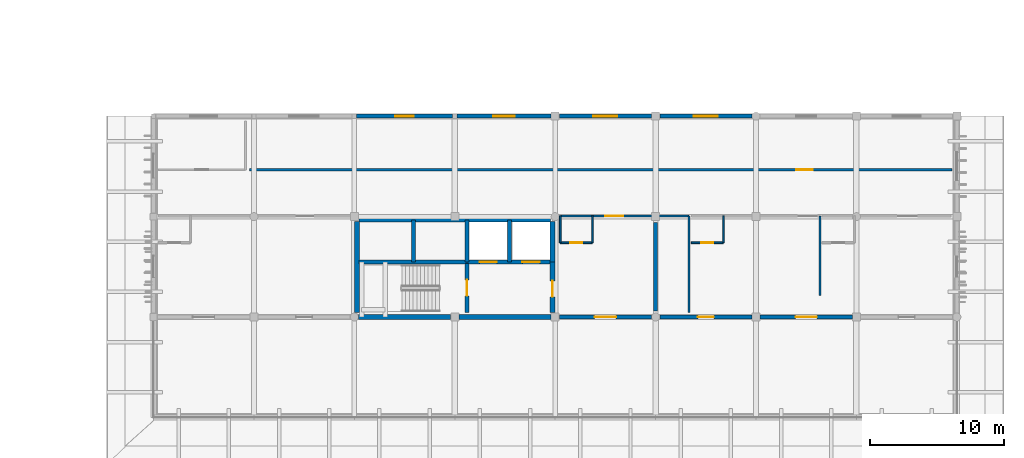
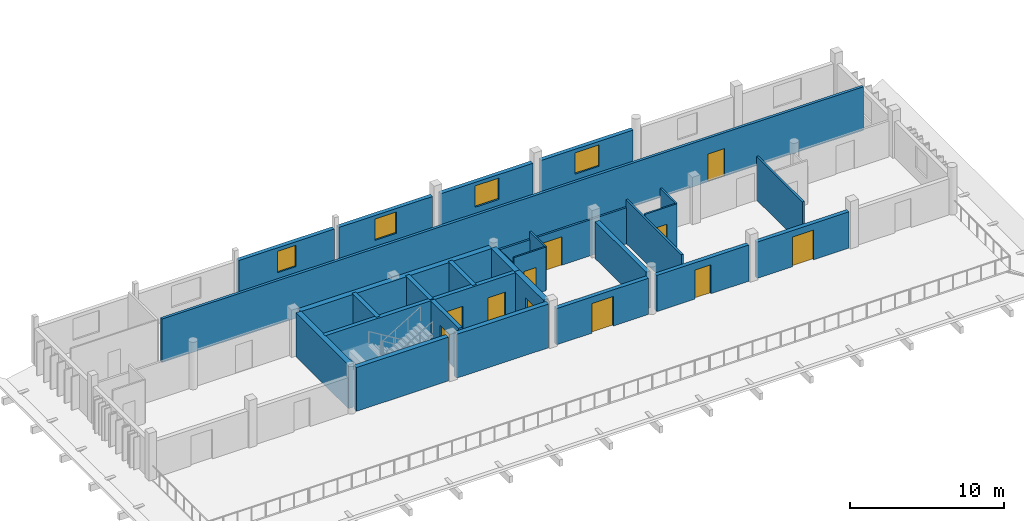
# One storey, part 24 of 43: 29 walls, 11 doors, 4 windows, 15 openings.
"""IFC4 building model written with IfcOpenShell, lengths in metres."""

from ifc_helpers import new_model, si_unit, direction, frame, frame_2d, origin, place, context, subcontext, project, spatial, rectangle, extrude, material, layer, layer_set, type_object, element, fill, save


model = new_model("IFC4")

# Units and contexts
model_context = context("Model", 3, precision=1e-05, world=origin(), true_north=direction((0.0, 1.0)))
body_context = subcontext(model_context, "Body", "Model", "MODEL_VIEW")
ifc_project = project(units=[si_unit("LENGTHUNIT", "METRE"), si_unit("AREAUNIT", "SQUARE_METRE"), si_unit("VOLUMEUNIT", "CUBIC_METRE"), si_unit("PLANEANGLEUNIT", "RADIAN"), si_unit("MASSUNIT", "GRAM", prefix="KILO")], contexts=[model_context])

# Site, building, storey
site_placement = place(None, origin())
site = spatial("IfcSite", under=ifc_project, at=site_placement, CompositionType="ELEMENT")
building_placement = place(site_placement, origin())
building = spatial("IfcBuilding", under=site, at=building_placement, Name="Dalvernix Boulevard General Hospital", CompositionType="ELEMENT")
storey_placement = place(building_placement, frame((0.0, 0.0, 14.10009765625)))
storey = spatial("IfcBuildingStorey", under=building, at=storey_placement, Name="L03", CompositionType="ELEMENT", Elevation=14.10009765625)

# Walls
ifc_material_1 = material(Name="Concrete C40/50", Category="concrete")
ifc_layer_1 = layer(ifc_material_1, 0.39990234375)
ifc_layer_set_1 = layer_set([ifc_layer_1], Name="Concrete C40/50 (WAL-CSW-01)")
wall_type_1 = type_object("IfcWallType", Name="WAL-CSW-01", PredefinedType="SHEAR", material=ifc_layer_set_1)
wall_1_placement = place(storey_placement, frame((127.85009765625, 14.800048828125, 0.0), z_axis=(0.0, 0.0, 1.0), x_axis=(1.0, 0.0, 0.0)))
element("IfcWall", 1, at=wall_1_placement, inside=storey, type_object=wall_type_1, Name="L03 C5 north shaft core wall", PredefinedType="SHEAR", context=body_context, shape_type="SweptSolid", body=[
    extrude(rectangle(XDim=14.2998046875, YDim=0.39990234375, at=frame_2d((7.14990234375, 0.0))), origin(), (0.0, 0.0, 1.0), 3.469970703125),
])
wall_2_placement = place(storey_placement, frame((127.699951171875, 7.85009765625, 0.0), z_axis=(0.0, 0.0, 1.0), x_axis=(0.0, 1.0, 0.0)))
element("IfcWall", 2, at=wall_2_placement, inside=storey, type_object=wall_type_1, Name="L03 C5 west core wall", PredefinedType="SHEAR", context=body_context, shape_type="SweptSolid", body=[
    extrude(rectangle(XDim=6.7998046875, YDim=0.39990234375, at=frame_2d((3.39990234375, 0.0))), origin(), (0.0, 0.0, 1.0), 3.469970703125),
])

# Wall, opening, door
wall_3_placement = place(storey_placement, frame((142.300048828125, 7.85009765625, 0.0), z_axis=(0.0, 0.0, 1.0), x_axis=(0.0, 1.0, 0.0)))
wall_3 = element("IfcWall", 3, at=wall_3_placement, inside=storey, type_object=wall_type_1, Name="L03 C5 east lobby core wall", PredefinedType="SHEAR", context=body_context, shape_type="SweptSolid", body=[
    extrude(rectangle(XDim=3.75, YDim=0.39990234375, at=frame_2d((1.875, 0.0))), origin(), (0.0, 0.0, 1.0), 3.469970703125),
])
opening_1_placement = place(wall_3_placement, frame((1.14990234375, 0.0, 0.0)))
opening_1 = element("IfcOpeningElement", 4, at=opening_1_placement, cuts=wall_3, Name="Opening FD-02", PredefinedType="OPENING", context=body_context, shape_type="SweptSolid", body=[
    extrude(rectangle(XDim=1.199951171875, YDim=2.25, at=frame_2d((0.60009765625, 1.125))), frame((0.0, 0.2099609375, 0.0), z_axis=(0.0, -1.0, 0.0), x_axis=(1.0, 0.0, 0.0)), (0.0, 0.0, 1.0), 0.419921875),
])
ifc_material_2 = material(Name="Hospital laminate acoustic timber and steel frame", Category="steel")
door_type_1 = type_object("IfcDoorType", Name="DR-FD-02", OperationType="NOTDEFINED", PredefinedType="DOOR", material=ifc_material_2)
door_1_placement = place(opening_1_placement, origin())
door_1 = element("IfcDoor", 5, at=door_1_placement, inside=storey, type_object=door_type_1, Name="L03 C5 east lobby fire door", OperationType="SINGLE_SWING_LEFT", OverallHeight=2.25, OverallWidth=1.199951171875, PredefinedType="DOOR", context=body_context, shape_type="SweptSolid", body=[
    extrude(rectangle(XDim=1.199951171875, YDim=2.25, at=frame_2d((0.60009765625, 1.125))), frame((0.0, 0.02490234375, 0.0), z_axis=(0.0, -1.0, 0.0), x_axis=(1.0, 0.0, 0.0)), (0.0, 0.0, 1.0), 0.050048828125),
])
fill(opening_1, door_1)

# Walls
wall_4_placement = place(storey_placement, frame((142.300048828125, 11.60009765625, 0.0), z_axis=(0.0, 0.0, 1.0), x_axis=(0.0, 1.0, 0.0)))
element("IfcWall", 6, at=wall_4_placement, inside=storey, type_object=wall_type_1, Name="L03 C5 east shaft core wall", PredefinedType="SHEAR", context=body_context, shape_type="SweptSolid", body=[
    extrude(rectangle(XDim=3.0498046875, YDim=0.39990234375, at=frame_2d((1.52490234375, 0.0))), origin(), (0.0, 0.0, 1.0), 3.469970703125),
])
ifc_layer_2 = layer(ifc_material_1, 0.300048828125)
ifc_layer_set_2 = layer_set([ifc_layer_2], Name="Concrete C40/50 (WAL-CSW-02)")
wall_type_2 = type_object("IfcWallType", Name="WAL-CSW-02", PredefinedType="SHEAR", material=ifc_layer_set_2)
wall_5_placement = place(storey_placement, frame((127.85009765625, 11.60009765625, 0.0), z_axis=(0.0, 0.0, 1.0), x_axis=(1.0, 0.0, 0.0)))
element("IfcWall", 7, at=wall_5_placement, inside=storey, type_object=wall_type_2, Name="L03 C5 riser spine wall", PredefinedType="SHEAR", context=body_context, shape_type="SweptSolid", body=[
    extrude(rectangle(XDim=8.0498046875, YDim=0.300048828125, at=frame_2d((4.02490234375, 0.0))), origin(), (0.0, 0.0, 1.0), 3.469970703125),
])

# Wall, openings, doors
wall_6_placement = place(storey_placement, frame((135.89990234375, 11.60009765625, 0.0), z_axis=(0.0, 0.0, 1.0), x_axis=(1.0, 0.0, 0.0)))
wall_6 = element("IfcWall", 8, at=wall_6_placement, inside=storey, type_object=wall_type_2, Name="L03 C5 lift shaft front wall", PredefinedType="SHEAR", context=body_context, shape_type="SweptSolid", body=[
    extrude(rectangle(XDim=6.25, YDim=0.300048828125, at=frame_2d((3.125, 0.0))), origin(), (0.0, 0.0, 1.0), 3.469970703125),
])
opening_2_placement = place(wall_6_placement, frame((0.949951171875, 0.0, 0.0)))
opening_2 = element("IfcOpeningElement", 9, at=opening_2_placement, cuts=wall_6, Name="Opening LD-LF-04-L03", PredefinedType="OPENING", context=body_context, shape_type="SweptSolid", body=[
    extrude(rectangle(XDim=1.300048828125, YDim=2.199951171875, at=frame_2d((0.64990234375, 1.10009765625))), frame((0.0, 0.159912109375, 0.0), z_axis=(0.0, -1.0, 0.0), x_axis=(1.0, 0.0, 0.0)), (0.0, 0.0, 1.0), 0.320068359375),
])
opening_3_placement = place(wall_6_placement, frame((4.14990234375, 0.0, 0.0)))
opening_3 = element("IfcOpeningElement", 10, at=opening_3_placement, cuts=wall_6, Name="Opening LD-LF-05-L03", PredefinedType="OPENING", context=body_context, shape_type="SweptSolid", body=[
    extrude(rectangle(XDim=1.300048828125, YDim=2.199951171875, at=frame_2d((0.64990234375, 1.10009765625))), frame((0.0, 0.159912109375, 0.0), z_axis=(0.0, -1.0, 0.0), x_axis=(1.0, 0.0, 0.0)), (0.0, 0.0, 1.0), 0.320068359375),
])
ifc_material_3 = material(Name="Stainless-clad steel", Category="steel")
door_type_2 = type_object("IfcDoorType", Name="DR-LD-02", OperationType="DOUBLE_DOOR_SLIDING", PredefinedType="DOOR", material=ifc_material_3)
door_2_placement = place(opening_2_placement, origin())
door_2 = element("IfcDoor", 11, at=door_2_placement, inside=storey, type_object=door_type_2, Name="L03 Lift LF-04 sliding landing door", OperationType="DOUBLE_DOOR_SLIDING", OverallHeight=2.199951171875, OverallWidth=1.300048828125, PredefinedType="DOOR", context=body_context, shape_type="SweptSolid", body=[
    extrude(rectangle(XDim=1.300048828125, YDim=2.199951171875, at=frame_2d((0.64990234375, 1.10009765625))), frame((0.0, 0.02490234375, 0.0), z_axis=(0.0, -1.0, 0.0), x_axis=(1.0, 0.0, 0.0)), (0.0, 0.0, 1.0), 0.050048828125),
])
fill(opening_2, door_2)
door_3_placement = place(opening_3_placement, origin())
door_3 = element("IfcDoor", 12, at=door_3_placement, inside=storey, type_object=door_type_2, Name="L03 Lift LF-05 sliding landing door", OperationType="DOUBLE_DOOR_SLIDING", OverallHeight=2.199951171875, OverallWidth=1.300048828125, PredefinedType="DOOR", context=body_context, shape_type="SweptSolid", body=[
    extrude(rectangle(XDim=1.300048828125, YDim=2.199951171875, at=frame_2d((0.64990234375, 1.10009765625))), frame((0.0, 0.02490234375, 0.0), z_axis=(0.0, -1.0, 0.0), x_axis=(1.0, 0.0, 0.0)), (0.0, 0.0, 1.0), 0.050048828125),
])
fill(opening_3, door_3)

# Wall, opening, door
wall_7_placement = place(storey_placement, frame((135.89990234375, 11.5, 0.0), z_axis=(0.0, 0.0, 1.0), x_axis=(0.0, -1.0, 0.0)))
wall_7 = element("IfcWall", 13, at=wall_7_placement, inside=storey, type_object=wall_type_2, Name="L03 C5 stairwell fire wall", PredefinedType="SHEAR", context=body_context, shape_type="SweptSolid", body=[
    extrude(rectangle(XDim=3.64990234375, YDim=0.300048828125, at=frame_2d((1.824951171875, 0.0))), origin(), (0.0, 0.0, 1.0), 3.469970703125),
])
opening_4_placement = place(wall_7_placement, frame((1.219970703125, 0.0, 0.0)))
opening_4 = element("IfcOpeningElement", 14, at=opening_4_placement, cuts=wall_7, Name="Opening FD-02", PredefinedType="OPENING", context=body_context, shape_type="SweptSolid", body=[
    extrude(rectangle(XDim=1.199951171875, YDim=2.25, at=frame_2d((0.60009765625, 1.125))), frame((0.0, 0.159912109375, 0.0), z_axis=(0.0, -1.0, 0.0), x_axis=(1.0, 0.0, 0.0)), (0.0, 0.0, 1.0), 0.320068359375),
])
door_4_placement = place(opening_4_placement, origin())
door_4 = element("IfcDoor", 15, at=door_4_placement, inside=storey, type_object=door_type_1, Name="L03 Stair ST-05 fire door", OperationType="SINGLE_SWING_LEFT", OverallHeight=2.25, OverallWidth=1.199951171875, PredefinedType="DOOR", context=body_context, shape_type="SweptSolid", body=[
    extrude(rectangle(XDim=1.199951171875, YDim=2.25, at=frame_2d((0.60009765625, 1.125))), frame((0.0, 0.02490234375, 0.0), z_axis=(0.0, -1.0, 0.0), x_axis=(1.0, 0.0, 0.0)), (0.0, 0.0, 1.0), 0.050048828125),
])
fill(opening_4, door_4)

# Walls
for number, where, z_axis, x_axis, name in (
    (16, (131.89990234375, 11.60009765625, 0.0), (0.0, 0.0, 1.0), (0.0, 1.0, 0.0), "L03 C5 shaft divider R1"),
    (17, (135.89990234375, 11.60009765625, 0.0), (0.0, 0.0, 1.0), (0.0, 1.0, 0.0), "L03 C5 shaft divider R2"),
    (18, (139.10009765625, 11.60009765625, 0.0), (0.0, 0.0, 1.0), (0.0, 1.0, 0.0), "L03 C5 shaft divider L1"),
):
    element("IfcWall", number, at=place(storey_placement, frame(where, z_axis=z_axis, x_axis=x_axis)), inside=storey, type_object=wall_type_2, Name=name, PredefinedType="SHEAR", context=body_context, shape_type="SweptSolid", body=[
        extrude(rectangle(XDim=3.14990234375, YDim=0.300048828125, at=frame_2d((1.574951171875, 0.0))), origin(), (0.0, 0.0, 1.0), 3.469970703125),
    ])
ifc_layer_3 = layer(ifc_material_1, 0.35009765625)
ifc_layer_set_3 = layer_set([ifc_layer_3], Name="Concrete C40/50 (WAL-ESW-01)")
wall_type_3 = type_object("IfcWallType", Name="WAL-ESW-01", PredefinedType="SHEAR", material=ifc_layer_set_3)
for number, where, z_axis, x_axis, name in (
    (19, (134.68994140625, 7.5, 0.0), (0.0, 0.0, 1.0), (-1.0, 0.0, 0.0), "L03 core perimeter shear wall S 17-1"),
    (20, (142.18994140625, 7.5, 0.0), (0.0, 0.0, 1.0), (-1.0, 0.0, 0.0), "L03 core perimeter shear wall S 18-1"),
):
    element("IfcWall", number, at=place(storey_placement, frame(where, z_axis=z_axis, x_axis=x_axis)), inside=storey, type_object=wall_type_3, Name=name, PredefinedType="SHEAR", context=body_context, shape_type="SweptSolid", body=[
        extrude(rectangle(XDim=6.8798828125, YDim=0.35009765625, at=frame_2d((3.43994140625, 0.0))), origin(), (0.0, 0.0, 1.0), 3.469970703125),
    ])
ifc_layer_4 = layer(ifc_material_1, 0.320068359375)
ifc_layer_set_4 = layer_set([ifc_layer_4], Name="Concrete C40/50 (WAL-ESW-02)")
wall_type_4 = type_object("IfcWallType", Name="WAL-ESW-02", PredefinedType="SHEAR", material=ifc_layer_set_4)
wall_8_placement = place(storey_placement, frame((150.0, 7.949951171875, 0.0), z_axis=(0.0, 0.0, 1.0), x_axis=(0.0, 1.0, 0.0)))
element("IfcWall", 21, at=wall_8_placement, inside=storey, type_object=wall_type_4, Name="L03 reinforced concrete shear wall 3", PredefinedType="SHEAR", context=body_context, shape_type="SweptSolid", body=[
    extrude(rectangle(XDim=6.60009765625, YDim=0.320068359375, at=frame_2d((3.300048828125, 0.0))), origin(), (0.0, 0.0, 1.0), 2.919921875),
])

# Wall, opening, window
ifc_material_4 = material(Name="Pressed Catalan clay brick and ceramic spandrel wall C35/45", Category="masonry")
ifc_layer_5 = layer(ifc_material_4, 0.300048828125)
ifc_layer_set_5 = layer_set([ifc_layer_5], Name="Pressed Catalan clay brick and ceramic spandrel wall C35/45 (WAL-EW-02)")
wall_type_5 = type_object("IfcWallType", Name="WAL-EW-02", PredefinedType="STANDARD", material=ifc_layer_set_5)
wall_9_placement = place(storey_placement, frame((127.669921875, 22.5, 0.0), z_axis=(0.0, 0.0, 1.0), x_axis=(1.0, 0.0, 0.0)))
wall_9 = element("IfcWall", 22, at=wall_9_placement, inside=storey, type_object=wall_type_5, Name="L03 Catalan brick external wall N 17-3", PredefinedType="STANDARD", context=body_context, shape_type="SweptSolid", body=[
    extrude(rectangle(XDim=7.16015625, YDim=0.300048828125, at=frame_2d((3.580078125, 0.0))), origin(), (0.0, 0.0, 1.0), 2.869873046875),
])
opening_5_placement = place(wall_9_placement, frame((2.8798828125, 0.0, 0.89990234375)))
opening_5 = element("IfcOpeningElement", 23, at=opening_5_placement, cuts=wall_9, Name="Opening WN-14", PredefinedType="OPENING", context=body_context, shape_type="SweptSolid", body=[
    extrude(rectangle(XDim=1.39990234375, YDim=1.68994140625, at=frame_2d((0.699951171875, 0.844970703125))), frame((0.0, 0.159912109375, 0.0), z_axis=(0.0, -1.0, 0.0), x_axis=(1.0, 0.0, 0.0)), (0.0, 0.0, 1.0), 0.320068359375),
])
ifc_material_5 = material(Name="Thermally broken aluminium frame with solar-control double glazing", Category="aluminium")
window_type_1 = type_object("IfcWindowType", Name="WIN-WN-14", PartitioningType="SINGLE_PANEL", PredefinedType="WINDOW", material=ifc_material_5)
window_1_placement = place(opening_5_placement, origin())
window_1 = element("IfcWindow", 24, at=window_1_placement, inside=storey, type_object=window_type_1, Name="L03 clinical window WN-14 N 17-3", OverallHeight=1.68994140625, OverallWidth=1.39990234375, PartitioningType="SINGLE_PANEL", PredefinedType="WINDOW", context=body_context, shape_type="SweptSolid", body=[
    extrude(rectangle(XDim=1.39990234375, YDim=1.68994140625, at=frame_2d((0.699951171875, 0.844970703125))), frame((0.0, 0.030029296875, 0.0), z_axis=(0.0, -1.0, 0.0), x_axis=(1.0, 0.0, 0.0)), (0.0, 0.0, 1.0), 0.06005859375),
])
fill(opening_5, window_1)

wall_10_placement = place(storey_placement, frame((135.169921875, 22.5, 0.0), z_axis=(0.0, 0.0, 1.0), x_axis=(1.0, 0.0, 0.0)))
wall_10 = element("IfcWall", 25, at=wall_10_placement, inside=storey, type_object=wall_type_5, Name="L03 Catalan brick external wall N 18-3", PredefinedType="STANDARD", context=body_context, shape_type="SweptSolid", body=[
    extrude(rectangle(XDim=7.02001953125, YDim=0.300048828125, at=frame_2d((3.510009765625, 0.0))), origin(), (0.0, 0.0, 1.0), 2.869873046875),
])
opening_6_placement = place(wall_10_placement, frame((2.7099609375, 0.0, 0.89990234375)))
opening_6 = element("IfcOpeningElement", 26, at=opening_6_placement, cuts=wall_10, Name="Opening WN-15", PredefinedType="OPENING", context=body_context, shape_type="SweptSolid", body=[
    extrude(rectangle(XDim=1.60009765625, YDim=1.68994140625, at=frame_2d((0.800048828125, 0.844970703125))), frame((0.0, 0.159912109375, 0.0), z_axis=(0.0, -1.0, 0.0), x_axis=(1.0, 0.0, 0.0)), (0.0, 0.0, 1.0), 0.320068359375),
])
window_type_2 = type_object("IfcWindowType", Name="WIN-WN-15", PartitioningType="SINGLE_PANEL", PredefinedType="WINDOW", material=ifc_material_5)
window_2_placement = place(opening_6_placement, origin())
window_2 = element("IfcWindow", 27, at=window_2_placement, inside=storey, type_object=window_type_2, Name="L03 clinical window WN-15 N 18-3", OverallHeight=1.68994140625, OverallWidth=1.60009765625, PartitioningType="SINGLE_PANEL", PredefinedType="WINDOW", context=body_context, shape_type="SweptSolid", body=[
    extrude(rectangle(XDim=1.60009765625, YDim=1.68994140625, at=frame_2d((0.800048828125, 0.844970703125))), frame((0.0, 0.030029296875, 0.0), z_axis=(0.0, -1.0, 0.0), x_axis=(1.0, 0.0, 0.0)), (0.0, 0.0, 1.0), 0.06005859375),
])
fill(opening_6, window_2)

# Wall, opening, door
wall_11_placement = place(storey_placement, frame((149.68994140625, 7.5, 0.0), z_axis=(0.0, 0.0, 1.0), x_axis=(-1.0, 0.0, 0.0)))
wall_11 = element("IfcWall", 28, at=wall_11_placement, inside=storey, type_object=wall_type_5, Name="L03 Catalan brick external wall S 19-1", PredefinedType="STANDARD", context=body_context, shape_type="SweptSolid", body=[
    extrude(rectangle(XDim=6.8798828125, YDim=0.300048828125, at=frame_2d((3.43994140625, 0.0))), origin(), (0.0, 0.0, 1.0), 2.869873046875),
])
opening_7_placement = place(wall_11_placement, frame((2.639892578125, 0.0, 0.0)))
opening_7 = element("IfcOpeningElement", 29, at=opening_7_placement, cuts=wall_11, Name="Opening TD-16", PredefinedType="OPENING", context=body_context, shape_type="SweptSolid", body=[
    extrude(rectangle(XDim=1.60009765625, YDim=2.35009765625, at=frame_2d((0.800048828125, 1.175048828125))), frame((0.0, 0.159912109375, 0.0), z_axis=(0.0, -1.0, 0.0), x_axis=(1.0, 0.0, 0.0)), (0.0, 0.0, 1.0), 0.320068359375),
])
ifc_material_6 = material(Name="Powder-coated aluminium and laminated safety glass", Category="aluminium")
door_type_3 = type_object("IfcDoorType", Name="DR-TD-16", OperationType="DOUBLE_DOOR_SINGLE_SWING", PredefinedType="DOOR", material=ifc_material_6)
door_5_placement = place(opening_7_placement, origin())
door_5 = element("IfcDoor", 30, at=door_5_placement, inside=storey, type_object=door_type_3, Name="L03 ward terrace access door S 19-1", OperationType="DOUBLE_DOOR_SINGLE_SWING", OverallHeight=2.35009765625, OverallWidth=1.60009765625, PredefinedType="DOOR", context=body_context, shape_type="SweptSolid", body=[
    extrude(rectangle(XDim=1.60009765625, YDim=2.35009765625, at=frame_2d((0.800048828125, 1.175048828125))), frame((0.0, 0.02490234375, 0.0), z_axis=(0.0, -1.0, 0.0), x_axis=(1.0, 0.0, 0.0)), (0.0, 0.0, 1.0), 0.050048828125),
])
fill(opening_7, door_5)

# Wall, opening, window
wall_12_placement = place(storey_placement, frame((142.81005859375, 22.5, 0.0), z_axis=(0.0, 0.0, 1.0), x_axis=(1.0, 0.0, 0.0)))
wall_12 = element("IfcWall", 31, at=wall_12_placement, inside=storey, type_object=wall_type_5, Name="L03 Catalan brick external wall N 19-3", PredefinedType="STANDARD", context=body_context, shape_type="SweptSolid", body=[
    extrude(rectangle(XDim=6.8798828125, YDim=0.300048828125, at=frame_2d((3.43994140625, 0.0))), origin(), (0.0, 0.0, 1.0), 2.869873046875),
])
opening_8_placement = place(wall_12_placement, frame((2.5400390625, 0.0, 0.89990234375)))
opening_8 = element("IfcOpeningElement", 32, at=opening_8_placement, cuts=wall_12, Name="Opening WN-16", PredefinedType="OPENING", context=body_context, shape_type="SweptSolid", body=[
    extrude(rectangle(XDim=1.800048828125, YDim=1.68994140625, at=frame_2d((0.89990234375, 0.844970703125))), frame((0.0, 0.159912109375, 0.0), z_axis=(0.0, -1.0, 0.0), x_axis=(1.0, 0.0, 0.0)), (0.0, 0.0, 1.0), 0.320068359375),
])
window_type_3 = type_object("IfcWindowType", Name="WIN-WN-16", PartitioningType="SINGLE_PANEL", PredefinedType="WINDOW", material=ifc_material_5)
window_3_placement = place(opening_8_placement, origin())
window_3 = element("IfcWindow", 33, at=window_3_placement, inside=storey, type_object=window_type_3, Name="L03 clinical window WN-16 N 19-3", OverallHeight=1.68994140625, OverallWidth=1.800048828125, PartitioningType="SINGLE_PANEL", PredefinedType="WINDOW", context=body_context, shape_type="SweptSolid", body=[
    extrude(rectangle(XDim=1.800048828125, YDim=1.68994140625, at=frame_2d((0.89990234375, 0.844970703125))), frame((0.0, 0.030029296875, 0.0), z_axis=(0.0, -1.0, 0.0), x_axis=(1.0, 0.0, 0.0)), (0.0, 0.0, 1.0), 0.06005859375),
])
fill(opening_8, window_3)

# Wall, opening, door
wall_13_placement = place(storey_placement, frame((157.18994140625, 7.5, 0.0), z_axis=(0.0, 0.0, 1.0), x_axis=(-1.0, 0.0, 0.0)))
wall_13 = element("IfcWall", 34, at=wall_13_placement, inside=storey, type_object=wall_type_5, Name="L03 Catalan brick external wall S 20-1", PredefinedType="STANDARD", context=body_context, shape_type="SweptSolid", body=[
    extrude(rectangle(XDim=6.8798828125, YDim=0.300048828125, at=frame_2d((3.43994140625, 0.0))), origin(), (0.0, 0.0, 1.0), 2.869873046875),
])
opening_9_placement = place(wall_13_placement, frame((2.840087890625, 0.0, 0.0)))
opening_9 = element("IfcOpeningElement", 35, at=opening_9_placement, cuts=wall_13, Name="Opening TD-12", PredefinedType="OPENING", context=body_context, shape_type="SweptSolid", body=[
    extrude(rectangle(XDim=1.199951171875, YDim=2.300048828125, at=frame_2d((0.60009765625, 1.14990234375))), frame((0.0, 0.159912109375, 0.0), z_axis=(0.0, -1.0, 0.0), x_axis=(1.0, 0.0, 0.0)), (0.0, 0.0, 1.0), 0.320068359375),
])
door_type_4 = type_object("IfcDoorType", Name="DR-TD-12", OperationType="NOTDEFINED", PredefinedType="DOOR", material=ifc_material_6)
door_6_placement = place(opening_9_placement, origin())
door_6 = element("IfcDoor", 36, at=door_6_placement, inside=storey, type_object=door_type_4, Name="L03 ward terrace access door S 20-1", OperationType="SINGLE_SWING_LEFT", OverallHeight=2.300048828125, OverallWidth=1.199951171875, PredefinedType="DOOR", context=body_context, shape_type="SweptSolid", body=[
    extrude(rectangle(XDim=1.199951171875, YDim=2.300048828125, at=frame_2d((0.60009765625, 1.14990234375))), frame((0.0, 0.02490234375, 0.0), z_axis=(0.0, -1.0, 0.0), x_axis=(1.0, 0.0, 0.0)), (0.0, 0.0, 1.0), 0.050048828125),
])
fill(opening_9, door_6)

# Wall, opening, window
wall_14_placement = place(storey_placement, frame((150.31005859375, 22.5, 0.0), z_axis=(0.0, 0.0, 1.0), x_axis=(1.0, 0.0, 0.0)))
wall_14 = element("IfcWall", 37, at=wall_14_placement, inside=storey, type_object=wall_type_5, Name="L03 Catalan brick external wall N 20-3", PredefinedType="STANDARD", context=body_context, shape_type="SweptSolid", body=[
    extrude(rectangle(XDim=6.8798828125, YDim=0.300048828125, at=frame_2d((3.43994140625, 0.0))), origin(), (0.0, 0.0, 1.0), 2.869873046875),
])
opening_10_placement = place(wall_14_placement, frame((2.5400390625, 0.0, 0.89990234375)))
opening_10 = element("IfcOpeningElement", 38, at=opening_10_placement, cuts=wall_14, Name="Opening WN-01", PredefinedType="OPENING", context=body_context, shape_type="SweptSolid", body=[
    extrude(rectangle(XDim=1.800048828125, YDim=1.68994140625, at=frame_2d((0.89990234375, 0.844970703125))), frame((0.0, 0.159912109375, 0.0), z_axis=(0.0, -1.0, 0.0), x_axis=(1.0, 0.0, 0.0)), (0.0, 0.0, 1.0), 0.320068359375),
])
window_type_4 = type_object("IfcWindowType", Name="WIN-WN-01", PartitioningType="SINGLE_PANEL", PredefinedType="WINDOW", material=ifc_material_5)
window_4_placement = place(opening_10_placement, origin())
window_4 = element("IfcWindow", 39, at=window_4_placement, inside=storey, type_object=window_type_4, Name="L03 clinical window WN-01 N 20-3", OverallHeight=1.68994140625, OverallWidth=1.800048828125, PartitioningType="SINGLE_PANEL", PredefinedType="WINDOW", context=body_context, shape_type="SweptSolid", body=[
    extrude(rectangle(XDim=1.800048828125, YDim=1.68994140625, at=frame_2d((0.89990234375, 0.844970703125))), frame((0.0, 0.030029296875, 0.0), z_axis=(0.0, -1.0, 0.0), x_axis=(1.0, 0.0, 0.0)), (0.0, 0.0, 1.0), 0.06005859375),
])
fill(opening_10, window_4)

# Wall, opening, door
wall_15_placement = place(storey_placement, frame((164.68994140625, 7.5, 0.0), z_axis=(0.0, 0.0, 1.0), x_axis=(-1.0, 0.0, 0.0)))
wall_15 = element("IfcWall", 40, at=wall_15_placement, inside=storey, type_object=wall_type_5, Name="L03 Catalan brick external wall S 21-1", PredefinedType="STANDARD", context=body_context, shape_type="SweptSolid", body=[
    extrude(rectangle(XDim=6.8798828125, YDim=0.300048828125, at=frame_2d((3.43994140625, 0.0))), origin(), (0.0, 0.0, 1.0), 2.869873046875),
])
opening_11_placement = place(wall_15_placement, frame((2.639892578125, 0.0, 0.0)))
opening_11 = element("IfcOpeningElement", 41, at=opening_11_placement, cuts=wall_15, Name="Opening TD-16", PredefinedType="OPENING", context=body_context, shape_type="SweptSolid", body=[
    extrude(rectangle(XDim=1.60009765625, YDim=2.35009765625, at=frame_2d((0.800048828125, 1.175048828125))), frame((0.0, 0.159912109375, 0.0), z_axis=(0.0, -1.0, 0.0), x_axis=(1.0, 0.0, 0.0)), (0.0, 0.0, 1.0), 0.320068359375),
])
door_7_placement = place(opening_11_placement, origin())
door_7 = element("IfcDoor", 42, at=door_7_placement, inside=storey, type_object=door_type_3, Name="L03 ward terrace access door S 21-1", OperationType="DOUBLE_DOOR_SINGLE_SWING", OverallHeight=2.35009765625, OverallWidth=1.60009765625, PredefinedType="DOOR", context=body_context, shape_type="SweptSolid", body=[
    extrude(rectangle(XDim=1.60009765625, YDim=2.35009765625, at=frame_2d((0.800048828125, 1.175048828125))), frame((0.0, 0.02490234375, 0.0), z_axis=(0.0, -1.0, 0.0), x_axis=(1.0, 0.0, 0.0)), (0.0, 0.0, 1.0), 0.050048828125),
])
fill(opening_11, door_7)

ifc_material_7 = material(Name="Fire-compartment corridor masonry wall", Category="masonry")
ifc_layer_6 = layer(ifc_material_7, 0.199951171875)
ifc_layer_set_6 = layer_set([ifc_layer_6], Name="Fire-compartment corridor masonry wall (WAL-IW-02)")
wall_type_6 = type_object("IfcWallType", Name="WAL-IW-02", PredefinedType="STANDARD", material=ifc_layer_set_6)
wall_16_placement = place(storey_placement, frame((119.64990234375, 18.5, 0.0), z_axis=(0.0, 0.0, 1.0), x_axis=(1.0, 0.0, 0.0)))
wall_16 = element("IfcWall", 43, at=wall_16_placement, inside=storey, type_object=wall_type_6, Name="L03 Maternity and Oncology Nurse Station L03 corridor wall", PredefinedType="STANDARD", context=body_context, shape_type="SweptSolid", body=[
    extrude(rectangle(XDim=52.5, YDim=0.199951171875, at=frame_2d((26.25, 0.0))), origin(), (0.0, 0.0, 1.0), 3.454833984375),
])
opening_12_placement = place(wall_16_placement, frame((40.85009765625, 0.0, 0.0)))
opening_12 = element("IfcOpeningElement", 44, at=opening_12_placement, cuts=wall_16, Name="Opening ID-04", PredefinedType="OPENING", context=body_context, shape_type="SweptSolid", body=[
    extrude(rectangle(XDim=1.25, YDim=2.199951171875, at=frame_2d((0.625, 1.10009765625))), frame((0.0, 0.10986328125, 0.0), z_axis=(0.0, -1.0, 0.0), x_axis=(1.0, 0.0, 0.0)), (0.0, 0.0, 1.0), 0.219970703125),
])
door_type_5 = type_object("IfcDoorType", Name="DR-ID-04", OperationType="NOTDEFINED", PredefinedType="DOOR", material=ifc_material_2)
door_8_placement = place(opening_12_placement, origin())
door_8 = element("IfcDoor", 45, at=door_8_placement, inside=storey, type_object=door_type_5, Name="L03 Maternity and Oncology Nurse Station L03 door", OperationType="SINGLE_SWING_LEFT", OverallHeight=2.199951171875, OverallWidth=1.25, PredefinedType="DOOR", context=body_context, shape_type="SweptSolid", body=[
    extrude(rectangle(XDim=1.25, YDim=2.199951171875, at=frame_2d((0.625, 1.10009765625))), frame((0.0, 0.02490234375, 0.0), z_axis=(0.0, -1.0, 0.0), x_axis=(1.0, 0.0, 0.0)), (0.0, 0.0, 1.0), 0.050048828125),
])
fill(opening_12, door_8)

ifc_material_8 = material(Name="Acoustic double-stud gypsum inpatient partition")
ifc_layer_7 = layer(ifc_material_8, 0.14990234375)
ifc_layer_set_7 = layer_set([ifc_layer_7], Name="Acoustic double-stud gypsum inpatient partition (WAL-IW-04)")
wall_type_7 = type_object("IfcWallType", Name="WAL-IW-04", PredefinedType="PARTITIONING", material=ifc_layer_set_7)
wall_17_placement = place(storey_placement, frame((152.50341796875, 15.050048828125, 0.0), z_axis=(0.0, 0.0, 1.0), x_axis=(-1.0, 0.0, 0.0)))
wall_17 = element("IfcWall", 46, at=wall_17_placement, inside=storey, type_object=wall_type_7, Name="L03 Maternity Postnatal Room 01 corridor wall", PredefinedType="PARTITIONING", context=body_context, shape_type="SweptSolid", body=[
    extrude(rectangle(XDim=9.62353515625, YDim=0.14990234375, at=frame_2d((4.811767578125, 0.0))), origin(), (0.0, 0.0, 1.0), 2.85498046875),
])
opening_13_placement = place(wall_17_placement, frame((4.9140625, 0.0, 0.0)))
opening_13 = element("IfcOpeningElement", 47, at=opening_13_placement, cuts=wall_17, Name="Opening ID-01", PredefinedType="OPENING", context=body_context, shape_type="SweptSolid", body=[
    extrude(rectangle(XDim=1.35009765625, YDim=2.25, at=frame_2d((0.675048828125, 1.125))), frame((0.0, 0.0849609375, 0.0), z_axis=(0.0, -1.0, 0.0), x_axis=(1.0, 0.0, 0.0)), (0.0, 0.0, 1.0), 0.169921875),
])
door_type_6 = type_object("IfcDoorType", Name="DR-ID-01", OperationType="NOTDEFINED", PredefinedType="DOOR", material=ifc_material_2)
door_9_placement = place(opening_13_placement, origin())
door_9 = element("IfcDoor", 48, at=door_9_placement, inside=storey, type_object=door_type_6, Name="L03 Maternity Postnatal Room 01 door", OperationType="SINGLE_SWING_RIGHT", OverallHeight=2.25, OverallWidth=1.35009765625, PredefinedType="DOOR", context=body_context, shape_type="SweptSolid", body=[
    extrude(rectangle(XDim=1.35009765625, YDim=2.25, at=frame_2d((0.675048828125, 1.125))), frame((0.0, 0.02490234375, 0.0), z_axis=(0.0, -1.0, 0.0), x_axis=(1.0, 0.0, 0.0)), (0.0, 0.0, 1.0), 0.050048828125),
])
fill(opening_13, door_9)

# Walls
wall_18_placement = place(storey_placement, frame((152.50341796875, 7.85009765625, 0.0), z_axis=(0.0, 0.0, 1.0), x_axis=(0.0, 1.0, 0.0)))
element("IfcWall", 49, at=wall_18_placement, inside=storey, type_object=wall_type_7, Name="L03 Maternity Postnatal Room 01 partition", PredefinedType="PARTITIONING", context=body_context, shape_type="SweptSolid", body=[
    extrude(rectangle(XDim=7.199951171875, YDim=0.14990234375, at=frame_2d((3.60009765625, 0.0))), origin(), (0.0, 0.0, 1.0), 3.454833984375),
])
wall_19_placement = place(storey_placement, frame((162.28662109375, 9.10009765625, 0.0), z_axis=(0.0, 0.0, 1.0), x_axis=(0.0, 1.0, 0.0)))
element("IfcWall", 50, at=wall_19_placement, inside=storey, type_object=wall_type_7, Name="L03 Maternity Postnatal Room 02 partition", PredefinedType="PARTITIONING", context=body_context, shape_type="SweptSolid", body=[
    extrude(rectangle(XDim=5.949951171875, YDim=0.14990234375, at=frame_2d((2.97509765625, 0.0))), origin(), (0.0, 0.0, 1.0), 3.454833984375),
])

# Wall, opening, door
ifc_material_9 = material(Name="Moisture-resistant en-suite bathroom partition")
ifc_layer_8 = layer(ifc_material_9, 0.1201171875)
ifc_layer_set_8 = layer_set([ifc_layer_8], Name="Moisture-resistant en-suite bathroom partition (WAL-IW-05)")
wall_type_8 = type_object("IfcWallType", Name="WAL-IW-05", PredefinedType="PARTITIONING", material=ifc_layer_set_8)
wall_20_placement = place(storey_placement, frame((142.8798828125, 13.050048828125, 0.0), z_axis=(0.0, 0.0, 1.0), x_axis=(1.0, 0.0, 0.0)))
wall_20 = element("IfcWall", 51, at=wall_20_placement, inside=storey, type_object=wall_type_8, Name="L03 en-suite bathroom door wall", PredefinedType="PARTITIONING", context=body_context, shape_type="SweptSolid", body=[
    extrude(rectangle(XDim=2.400146484375, YDim=0.1201171875, at=frame_2d((1.2001953125, 0.0))), origin(), (0.0, 0.0, 1.0), 3.454833984375),
])
opening_14_placement = place(wall_20_placement, frame((0.75, 0.0, 0.0)))
opening_14 = element("IfcOpeningElement", 52, at=opening_14_placement, cuts=wall_20, Name="Opening ID-05", PredefinedType="OPENING", context=body_context, shape_type="SweptSolid", body=[
    extrude(rectangle(XDim=0.89990234375, YDim=2.10009765625, at=frame_2d((0.449951171875, 1.050048828125))), frame((0.0, 0.070068359375, 0.0), z_axis=(0.0, -1.0, 0.0), x_axis=(1.0, 0.0, 0.0)), (0.0, 0.0, 1.0), 0.14013671875),
])
door_type_7 = type_object("IfcDoorType", Name="DR-ID-05", OperationType="NOTDEFINED", PredefinedType="DOOR", material=ifc_material_2)
door_10_placement = place(opening_14_placement, origin())
door_10 = element("IfcDoor", 53, at=door_10_placement, inside=storey, type_object=door_type_7, Name="L03 L03-V5-E1 en-suite bathroom door", OperationType="SINGLE_SWING_LEFT", OverallHeight=2.10009765625, OverallWidth=0.89990234375, PredefinedType="DOOR", context=body_context, shape_type="SweptSolid", body=[
    extrude(rectangle(XDim=0.89990234375, YDim=2.10009765625, at=frame_2d((0.449951171875, 1.050048828125))), frame((0.0, 0.02490234375, 0.0), z_axis=(0.0, -1.0, 0.0), x_axis=(1.0, 0.0, 0.0)), (0.0, 0.0, 1.0), 0.050048828125),
])
fill(opening_14, door_10)

# Wall
wall_21_placement = place(storey_placement, frame((145.280029296875, 13.050048828125, 0.0), z_axis=(0.0, 0.0, 1.0), x_axis=(0.0, 1.0, 0.0)))
element("IfcWall", 54, at=wall_21_placement, inside=storey, type_object=wall_type_8, Name="L03 en-suite bathroom side wall", PredefinedType="PARTITIONING", context=body_context, shape_type="SweptSolid", body=[
    extrude(rectangle(XDim=2.0, YDim=0.1201171875, at=frame_2d((1.0, 0.0))), origin(), (0.0, 0.0, 1.0), 3.454833984375),
])

# Wall, opening, door
wall_22_placement = place(storey_placement, frame((152.663330078125, 13.050048828125, 0.0), z_axis=(0.0, 0.0, 1.0), x_axis=(1.0, 0.0, 0.0)))
wall_22 = element("IfcWall", 55, at=wall_22_placement, inside=storey, type_object=wall_type_8, Name="L03 en-suite bathroom door wall", PredefinedType="PARTITIONING", context=body_context, shape_type="SweptSolid", body=[
    extrude(rectangle(XDim=2.39990234375, YDim=0.1201171875, at=frame_2d((1.199951171875, 0.0))), origin(), (0.0, 0.0, 1.0), 3.454833984375),
])
opening_15_placement = place(wall_22_placement, frame((0.75, 0.0, 0.0)))
opening_15 = element("IfcOpeningElement", 56, at=opening_15_placement, cuts=wall_22, Name="Opening ID-05", PredefinedType="OPENING", context=body_context, shape_type="SweptSolid", body=[
    extrude(rectangle(XDim=0.89990234375, YDim=2.10009765625, at=frame_2d((0.449951171875, 1.050048828125))), frame((0.0, 0.070068359375, 0.0), z_axis=(0.0, -1.0, 0.0), x_axis=(1.0, 0.0, 0.0)), (0.0, 0.0, 1.0), 0.14013671875),
])
door_11_placement = place(opening_15_placement, origin())
door_11 = element("IfcDoor", 57, at=door_11_placement, inside=storey, type_object=door_type_7, Name="L03 L03-V5-E2 en-suite bathroom door", OperationType="SINGLE_SWING_LEFT", OverallHeight=2.10009765625, OverallWidth=0.89990234375, PredefinedType="DOOR", context=body_context, shape_type="SweptSolid", body=[
    extrude(rectangle(XDim=0.89990234375, YDim=2.10009765625, at=frame_2d((0.449951171875, 1.050048828125))), frame((0.0, 0.02490234375, 0.0), z_axis=(0.0, -1.0, 0.0), x_axis=(1.0, 0.0, 0.0)), (0.0, 0.0, 1.0), 0.050048828125),
])
fill(opening_15, door_11)

# Walls
wall_23_placement = place(storey_placement, frame((155.063232421875, 13.050048828125, 0.0), z_axis=(0.0, 0.0, 1.0), x_axis=(0.0, 1.0, 0.0)))
element("IfcWall", 58, at=wall_23_placement, inside=storey, type_object=wall_type_8, Name="L03 en-suite bathroom side wall", PredefinedType="PARTITIONING", context=body_context, shape_type="SweptSolid", body=[
    extrude(rectangle(XDim=2.0, YDim=0.1201171875, at=frame_2d((1.0, 0.0))), origin(), (0.0, 0.0, 1.0), 3.454833984375),
])
wall_24_placement = place(storey_placement, frame((142.8798828125, 13.050048828125, 0.0), z_axis=(0.0, 0.0, 1.0), x_axis=(0.0, 1.0, 0.0)))
element("IfcWall", 59, at=wall_24_placement, inside=storey, type_object=wall_type_8, Name="L03 En-suite Bathroom V5-E1 enclosure wall W", PredefinedType="PARTITIONING", context=body_context, shape_type="SweptSolid", body=[
    extrude(rectangle(XDim=2.0, YDim=0.1201171875, at=frame_2d((1.0, 0.0))), origin(), (0.0, 0.0, 1.0), 2.90478515625),
])

save(model, "model.ifc")
